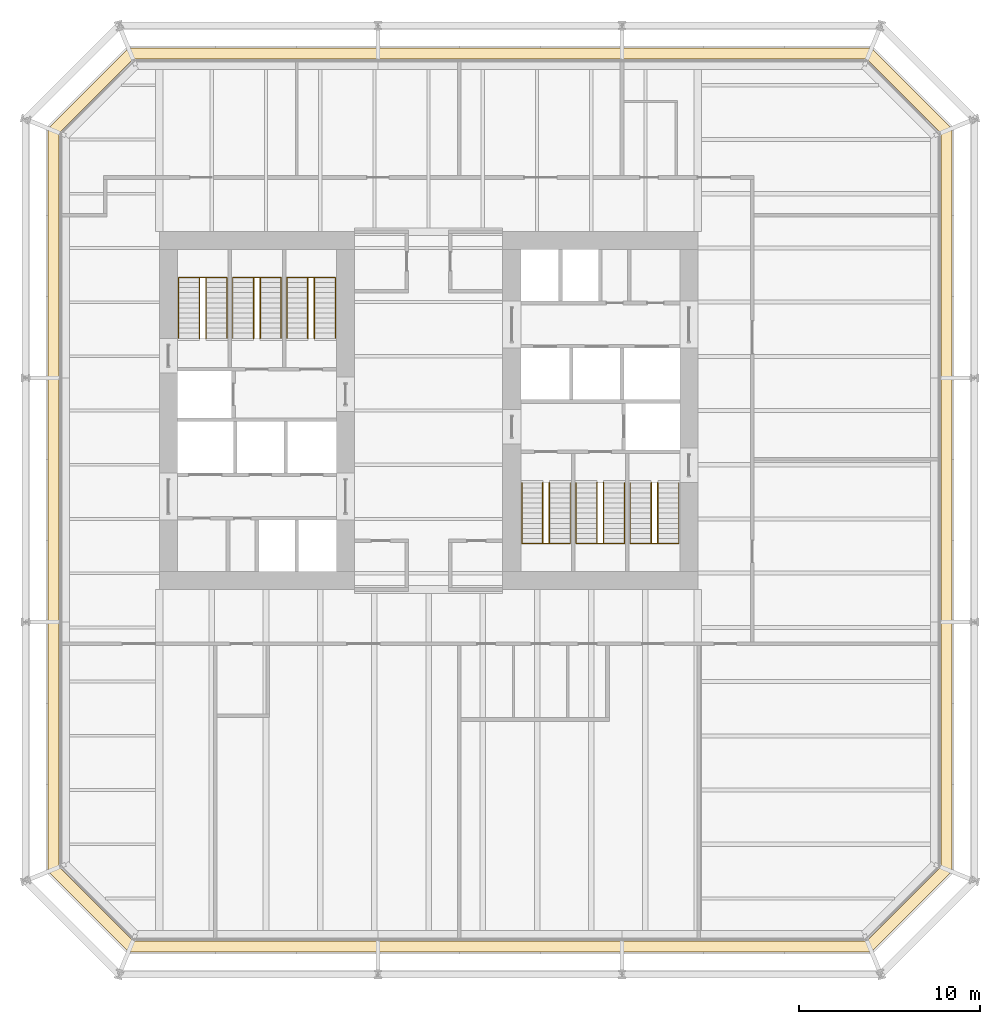
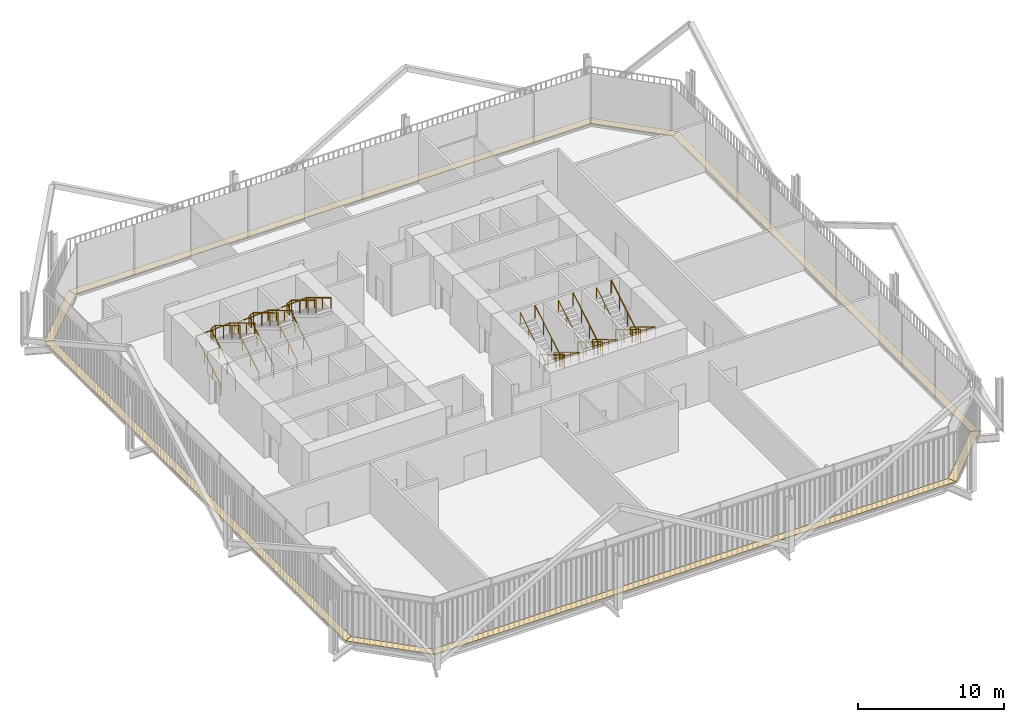
# One storey, part 21 of 21: 12 railings, 8 coverings.
"""IFC4 building model written with IfcOpenShell, lengths in metres."""

from ifc_helpers import new_model, si_unit, direction, frame, origin, origin_2d, place, context, subcontext, project, spatial, polyline, circle, outline, extrude, material, layer, layer_set, type_object, element, save


model = new_model("IFC4")

# Units and contexts
model_context = context("Model", 3, precision=1e-05, world=origin(), true_north=direction((0.0, 1.0)))
body_context = subcontext(model_context, "Body", "Model", "MODEL_VIEW")
ifc_project = project(units=[si_unit("LENGTHUNIT", "METRE"), si_unit("AREAUNIT", "SQUARE_METRE"), si_unit("VOLUMEUNIT", "CUBIC_METRE"), si_unit("PLANEANGLEUNIT", "RADIAN"), si_unit("MASSUNIT", "GRAM", prefix="KILO")], contexts=[model_context])

# Site, building, storey
site_placement = place(None, origin())
site = spatial("IfcSite", under=ifc_project, at=site_placement, CompositionType="ELEMENT")
building_placement = place(site_placement, origin())
building = spatial("IfcBuilding", under=site, at=building_placement, Name="Millrace Tower", CompositionType="ELEMENT")
storey_placement = place(building_placement, frame((0.0, 0.0, 82.0)))
storey = spatial("IfcBuildingStorey", under=building, at=storey_placement, Name="L18", CompositionType="ELEMENT", Elevation=82.0)

# Coverings
ifc_material_1 = material(Name="Steel ASTM A36", Category="steel")
ifc_layer = layer(ifc_material_1, 0.050048828125)
ifc_layer_set = layer_set([ifc_layer], Name="Steel ASTM A36")
covering_type = type_object("IfcCoveringType", Name="CAVITY CATWALK steel grating", PredefinedType="FLOORING", material=ifc_layer_set)
placement = place(storey_placement, frame((0.0, 0.0, 0.10009765625)))
element("IfcCovering", 1, at=placement, inside=storey, type_object=covering_type, Name="Cavity catwalk grating B-F01 L18 1", PredefinedType="FLOORING", context=body_context, shape_type="SweptSolid", body=[
    extrude(outline(polyline([(-21.050048828125, -25.5107421875), (-16.610595703125, -29.949951171875), (-16.362060546875, -29.35009765625), (-20.449951171875, -25.26220703125), (-21.050048828125, -25.5107421875)])), origin(), (0.0, 0.0, 1.0), 0.0498046875),
])
element("IfcCovering", 2, at=placement, inside=storey, type_object=covering_type, Name="Cavity catwalk grating B-F02 L18 1", PredefinedType="FLOORING", context=body_context, shape_type="SweptSolid", body=[
    extrude(outline(polyline([(-16.610595703125, -29.949951171875), (24.5107421875, -29.949951171875), (24.26220703125, -29.35009765625), (-16.362060546875, -29.35009765625), (-16.610595703125, -29.949951171875)])), origin(), (0.0, 0.0, 1.0), 0.0498046875),
])
element("IfcCovering", 3, at=placement, inside=storey, type_object=covering_type, Name="Cavity catwalk grating B-F03 L18 1", PredefinedType="FLOORING", context=body_context, shape_type="SweptSolid", body=[
    extrude(outline(polyline([(24.5107421875, -29.949951171875), (28.949951171875, -25.5107421875), (28.35009765625, -25.26220703125), (24.26220703125, -29.35009765625), (24.5107421875, -29.949951171875)])), origin(), (0.0, 0.0, 1.0), 0.0498046875),
])
element("IfcCovering", 4, at=placement, inside=storey, type_object=covering_type, Name="Cavity catwalk grating B-F04 L18 1", PredefinedType="FLOORING", context=body_context, shape_type="SweptSolid", body=[
    extrude(outline(polyline([(28.949951171875, -25.5107421875), (28.949951171875, 15.610595703125), (28.35009765625, 15.362060546875), (28.35009765625, -25.26220703125), (28.949951171875, -25.5107421875)])), origin(), (0.0, 0.0, 1.0), 0.0498046875),
])
element("IfcCovering", 5, at=placement, inside=storey, type_object=covering_type, Name="Cavity catwalk grating B-F05 L18 1", PredefinedType="FLOORING", context=body_context, shape_type="SweptSolid", body=[
    extrude(outline(polyline([(28.949951171875, 15.610595703125), (24.5107421875, 20.050048828125), (24.26220703125, 19.449951171875), (28.35009765625, 15.362060546875), (28.949951171875, 15.610595703125)])), origin(), (0.0, 0.0, 1.0), 0.0498046875),
])
element("IfcCovering", 6, at=placement, inside=storey, type_object=covering_type, Name="Cavity catwalk grating B-F06 L18 1", PredefinedType="FLOORING", context=body_context, shape_type="SweptSolid", body=[
    extrude(outline(polyline([(24.5107421875, 20.050048828125), (-16.610595703125, 20.050048828125), (-16.362060546875, 19.449951171875), (24.26220703125, 19.449951171875), (24.5107421875, 20.050048828125)])), origin(), (0.0, 0.0, 1.0), 0.0498046875),
])
element("IfcCovering", 7, at=placement, inside=storey, type_object=covering_type, Name="Cavity catwalk grating B-F07 L18 1", PredefinedType="FLOORING", context=body_context, shape_type="SweptSolid", body=[
    extrude(outline(polyline([(-16.610595703125, 20.050048828125), (-21.050048828125, 15.610595703125), (-20.449951171875, 15.362060546875), (-16.362060546875, 19.449951171875), (-16.610595703125, 20.050048828125)])), origin(), (0.0, 0.0, 1.0), 0.0498046875),
])
element("IfcCovering", 8, at=placement, inside=storey, type_object=covering_type, Name="Cavity catwalk grating B-F08 L18 1", PredefinedType="FLOORING", context=body_context, shape_type="SweptSolid", body=[
    extrude(outline(polyline([(-21.050048828125, 15.610595703125), (-21.050048828125, -25.5107421875), (-20.449951171875, -25.26220703125), (-20.449951171875, 15.362060546875), (-21.050048828125, 15.610595703125)])), origin(), (0.0, 0.0, 1.0), 0.0498046875),
])

# Railings
ifc_material_2 = material(Name="Stainless steel ASTM A240 type 316", Category="steel")
railing_type_1 = type_object("IfcRailingType", Name="Stair guard 1100", PredefinedType="GUARDRAIL", material=ifc_material_2)
for number, where, name in (
    (9, (-12.679931640625, 4.0, 0.169189453125), "Stair guard 1 W L18"),
    (10, (-9.679931640625, 4.0, 0.169189453125), "Stair guard 2 W L18"),
    (11, (-6.679931640625, 4.0, 0.169189453125), "Stair guard 3 W L18"),
):
    element("IfcRailing", number, at=place(storey_placement, frame(where)), inside=storey, type_object=railing_type_1, Name=name, PredefinedType="GUARDRAIL", context=body_context, shape_type="SweptSolid", body=[
        extrude(circle(Radius=0.02392578125, at=origin_2d()), frame((0.0, 0.0, 1.076171875), z_axis=(0.0, 0.855836976705, 0.517245656632), x_axis=(-1.0, 0.0, 0.0)), (0.0, 0.0, 1.0), 3.926025390625),
        extrude(circle(Radius=0.02392578125, at=origin_2d()), frame((0.0, 3.360107421875, 3.10693359375), z_axis=(0.904971698027, 0.0, 0.425471768475), x_axis=(0.0, 1.0, 0.0)), (0.0, 0.0, 1.0), 0.397705078125),
        extrude(circle(Radius=0.02392578125, at=origin_2d()), frame((0.35986328125, 3.360107421875, 3.27587890625), z_axis=(0.0, -0.855836976705, 0.517245656632), x_axis=(1.0, 0.0, 0.0)), (0.0, 0.0, 1.0), 3.926025390625),
        extrude(circle(Radius=0.02099609375, at=origin_2d()), origin(), (0.0, 0.0, 1.0), 1.052001953125),
        extrude(circle(Radius=0.02099609375, at=origin_2d()), frame((0.0, 1.1201171875, 0.677001953125)), (0.0, 0.0, 1.0), 1.052001953125),
        extrude(circle(Radius=0.02099609375, at=origin_2d()), frame((0.0, 2.239990234375, 1.353759765625)), (0.0, 0.0, 1.0), 1.052001953125),
        extrude(circle(Radius=0.02099609375, at=origin_2d()), frame((0.0, 3.360107421875, 2.03076171875)), (0.0, 0.0, 1.0), 1.052001953125),
        extrude(circle(Radius=0.02099609375, at=origin_2d()), frame((0.35986328125, 3.360107421875, 2.199951171875)), (0.0, 0.0, 1.0), 1.052001953125),
        extrude(circle(Radius=0.02099609375, at=origin_2d()), frame((0.35986328125, 2.239990234375, 2.876953125)), (0.0, 0.0, 1.0), 1.052001953125),
        extrude(circle(Radius=0.02099609375, at=origin_2d()), frame((0.35986328125, 1.1201171875, 3.5537109375)), (0.0, 0.0, 1.0), 1.052001953125),
        extrude(circle(Radius=0.02099609375, at=origin_2d()), frame((0.35986328125, 0.0, 4.230712890625)), (0.0, 0.0, 1.0), 1.052001953125),
    ])
for number, where, name in (
    (12, (12.679931640625, -4.0, 0.169189453125), "Stair guard 1 E L18"),
    (13, (9.679931640625, -4.0, 0.169189453125), "Stair guard 2 E L18"),
    (14, (6.679931640625, -4.0, 0.169189453125), "Stair guard 3 E L18"),
):
    element("IfcRailing", number, at=place(storey_placement, frame(where)), inside=storey, type_object=railing_type_1, Name=name, PredefinedType="GUARDRAIL", context=body_context, shape_type="SweptSolid", body=[
        extrude(circle(Radius=0.02392578125, at=origin_2d()), frame((0.0, 0.0, 1.076171875), z_axis=(0.0, -0.855836976705, 0.517245656632), x_axis=(1.0, 0.0, 0.0)), (0.0, 0.0, 1.0), 3.926025390625),
        extrude(circle(Radius=0.02392578125, at=origin_2d()), frame((0.0, -3.360107421875, 3.10693359375), z_axis=(-0.904971698027, 0.0, 0.425471768475), x_axis=(0.0, -1.0, 0.0)), (0.0, 0.0, 1.0), 0.397705078125),
        extrude(circle(Radius=0.02392578125, at=origin_2d()), frame((-0.35986328125, -3.360107421875, 3.27587890625), z_axis=(0.0, 0.855836976705, 0.517245656632), x_axis=(-1.0, 0.0, 0.0)), (0.0, 0.0, 1.0), 3.926025390625),
        extrude(circle(Radius=0.02099609375, at=origin_2d()), origin(), (0.0, 0.0, 1.0), 1.052001953125),
        extrude(circle(Radius=0.02099609375, at=origin_2d()), frame((0.0, -1.1201171875, 0.677001953125)), (0.0, 0.0, 1.0), 1.052001953125),
        extrude(circle(Radius=0.02099609375, at=origin_2d()), frame((0.0, -2.239990234375, 1.353759765625)), (0.0, 0.0, 1.0), 1.052001953125),
        extrude(circle(Radius=0.02099609375, at=origin_2d()), frame((0.0, -3.360107421875, 2.03076171875)), (0.0, 0.0, 1.0), 1.052001953125),
        extrude(circle(Radius=0.02099609375, at=origin_2d()), frame((-0.35986328125, -3.360107421875, 2.199951171875)), (0.0, 0.0, 1.0), 1.052001953125),
        extrude(circle(Radius=0.02099609375, at=origin_2d()), frame((-0.35986328125, -2.239990234375, 2.876953125)), (0.0, 0.0, 1.0), 1.052001953125),
        extrude(circle(Radius=0.02099609375, at=origin_2d()), frame((-0.35986328125, -1.1201171875, 3.5537109375)), (0.0, 0.0, 1.0), 1.052001953125),
        extrude(circle(Radius=0.02099609375, at=origin_2d()), frame((-0.35986328125, 0.0, 4.230712890625)), (0.0, 0.0, 1.0), 1.052001953125),
    ])
ifc_material_3 = material(Name="Stainless steel ASTM A240 type 316", Category="steel")
railing_type_2 = type_object("IfcRailingType", Name="Stair handrail 900", PredefinedType="HANDRAIL", material=ifc_material_3)
railing_1_placement = place(storey_placement, frame((-13.840087890625, 4.0, 0.169189453125)))
element("IfcRailing", 15, at=railing_1_placement, inside=storey, type_object=railing_type_2, Name="Stair handrail 1 W L18", PredefinedType="HANDRAIL", context=body_context, shape_type="SweptSolid", body=[
    extrude(circle(Radius=0.02392578125, at=origin_2d()), frame((0.0, 0.0, 0.8759765625), z_axis=(0.0, 0.855836976705, 0.517245656632), x_axis=(-1.0, 0.0, 0.0)), (0.0, 0.0, 1.0), 3.926025390625),
    extrude(circle(Radius=0.02392578125, at=origin_2d()), frame((0.0, 3.360107421875, 2.90673828125), z_axis=(0.998013473273, 0.0, 0.063000850517), x_axis=(0.0, 1.0, 0.0)), (0.0, 0.0, 1.0), 2.685546875),
    extrude(circle(Radius=0.02392578125, at=origin_2d()), frame((2.68017578125, 3.360107421875, 3.07568359375), z_axis=(0.0, -0.855836976705, 0.517245656632), x_axis=(1.0, 0.0, 0.0)), (0.0, 0.0, 1.0), 3.926025390625),
    extrude(circle(Radius=0.02099609375, at=origin_2d()), origin(), (0.0, 0.0, 1.0), 0.851806640625),
    extrude(circle(Radius=0.02099609375, at=origin_2d()), frame((0.0, 1.1201171875, 0.677001953125)), (0.0, 0.0, 1.0), 0.851806640625),
    extrude(circle(Radius=0.02099609375, at=origin_2d()), frame((0.0, 2.239990234375, 1.353759765625)), (0.0, 0.0, 1.0), 0.851806640625),
    extrude(circle(Radius=0.02099609375, at=origin_2d()), frame((0.0, 3.360107421875, 2.03076171875)), (0.0, 0.0, 1.0), 0.851806640625),
    extrude(circle(Radius=0.02099609375, at=origin_2d()), frame((1.340087890625, 3.360107421875, 2.115234375)), (0.0, 0.0, 1.0), 0.851806640625),
    extrude(circle(Radius=0.02099609375, at=origin_2d()), frame((2.68017578125, 3.360107421875, 2.199951171875)), (0.0, 0.0, 1.0), 0.851806640625),
    extrude(circle(Radius=0.02099609375, at=origin_2d()), frame((2.68017578125, 2.239990234375, 2.876953125)), (0.0, 0.0, 1.0), 0.851806640625),
    extrude(circle(Radius=0.02099609375, at=origin_2d()), frame((2.68017578125, 1.1201171875, 3.5537109375)), (0.0, 0.0, 1.0), 0.851806640625),
    extrude(circle(Radius=0.02099609375, at=origin_2d()), frame((2.68017578125, 0.0, 4.230712890625)), (0.0, 0.0, 1.0), 0.851806640625),
])
railing_2_placement = place(storey_placement, frame((-10.840087890625, 4.0, 0.169189453125)))
element("IfcRailing", 16, at=railing_2_placement, inside=storey, type_object=railing_type_2, Name="Stair handrail 2 W L18", PredefinedType="HANDRAIL", context=body_context, shape_type="SweptSolid", body=[
    extrude(circle(Radius=0.02392578125, at=origin_2d()), frame((0.0, 0.0, 0.8759765625), z_axis=(0.0, 0.855836976705, 0.517245656632), x_axis=(-1.0, 0.0, 0.0)), (0.0, 0.0, 1.0), 3.926025390625),
    extrude(circle(Radius=0.02392578125, at=origin_2d()), frame((0.0, 3.360107421875, 2.90673828125), z_axis=(0.998013473273, 0.0, 0.063000850517), x_axis=(0.0, 1.0, 0.0)), (0.0, 0.0, 1.0), 2.685546875),
    extrude(circle(Radius=0.02392578125, at=origin_2d()), frame((2.68017578125, 3.360107421875, 3.07568359375), z_axis=(0.0, -0.855836976705, 0.517245656632), x_axis=(1.0, 0.0, 0.0)), (0.0, 0.0, 1.0), 3.926025390625),
    extrude(circle(Radius=0.02099609375, at=origin_2d()), origin(), (0.0, 0.0, 1.0), 0.851806640625),
    extrude(circle(Radius=0.02099609375, at=origin_2d()), frame((0.0, 1.1201171875, 0.677001953125)), (0.0, 0.0, 1.0), 0.851806640625),
    extrude(circle(Radius=0.02099609375, at=origin_2d()), frame((0.0, 2.239990234375, 1.353759765625)), (0.0, 0.0, 1.0), 0.851806640625),
    extrude(circle(Radius=0.02099609375, at=origin_2d()), frame((0.0, 3.360107421875, 2.03076171875)), (0.0, 0.0, 1.0), 0.851806640625),
    extrude(circle(Radius=0.02099609375, at=origin_2d()), frame((1.340087890625, 3.360107421875, 2.115234375)), (0.0, 0.0, 1.0), 0.851806640625),
    extrude(circle(Radius=0.02099609375, at=origin_2d()), frame((2.68017578125, 3.360107421875, 2.199951171875)), (0.0, 0.0, 1.0), 0.851806640625),
    extrude(circle(Radius=0.02099609375, at=origin_2d()), frame((2.68017578125, 2.239990234375, 2.876953125)), (0.0, 0.0, 1.0), 0.851806640625),
    extrude(circle(Radius=0.02099609375, at=origin_2d()), frame((2.68017578125, 1.1201171875, 3.5537109375)), (0.0, 0.0, 1.0), 0.851806640625),
    extrude(circle(Radius=0.02099609375, at=origin_2d()), frame((2.68017578125, 0.0, 4.230712890625)), (0.0, 0.0, 1.0), 0.851806640625),
])
railing_3_placement = place(storey_placement, frame((-7.840087890625, 4.0, 0.169189453125)))
element("IfcRailing", 17, at=railing_3_placement, inside=storey, type_object=railing_type_2, Name="Stair handrail 3 W L18", PredefinedType="HANDRAIL", context=body_context, shape_type="SweptSolid", body=[
    extrude(circle(Radius=0.02392578125, at=origin_2d()), frame((0.0, 0.0, 0.8759765625), z_axis=(0.0, 0.855836976705, 0.517245656632), x_axis=(-1.0, 0.0, 0.0)), (0.0, 0.0, 1.0), 3.926025390625),
    extrude(circle(Radius=0.02392578125, at=origin_2d()), frame((0.0, 3.360107421875, 2.90673828125), z_axis=(0.998013473273, 0.0, 0.063000850517), x_axis=(0.0, 1.0, 0.0)), (0.0, 0.0, 1.0), 2.685546875),
    extrude(circle(Radius=0.02392578125, at=origin_2d()), frame((2.68017578125, 3.360107421875, 3.07568359375), z_axis=(0.0, -0.855836976705, 0.517245656632), x_axis=(1.0, 0.0, 0.0)), (0.0, 0.0, 1.0), 3.926025390625),
    extrude(circle(Radius=0.02099609375, at=origin_2d()), origin(), (0.0, 0.0, 1.0), 0.851806640625),
    extrude(circle(Radius=0.02099609375, at=origin_2d()), frame((0.0, 1.1201171875, 0.677001953125)), (0.0, 0.0, 1.0), 0.851806640625),
    extrude(circle(Radius=0.02099609375, at=origin_2d()), frame((0.0, 2.239990234375, 1.353759765625)), (0.0, 0.0, 1.0), 0.851806640625),
    extrude(circle(Radius=0.02099609375, at=origin_2d()), frame((0.0, 3.360107421875, 2.03076171875)), (0.0, 0.0, 1.0), 0.851806640625),
    extrude(circle(Radius=0.02099609375, at=origin_2d()), frame((1.340087890625, 3.360107421875, 2.115234375)), (0.0, 0.0, 1.0), 0.851806640625),
    extrude(circle(Radius=0.02099609375, at=origin_2d()), frame((2.68017578125, 3.360107421875, 2.199951171875)), (0.0, 0.0, 1.0), 0.851806640625),
    extrude(circle(Radius=0.02099609375, at=origin_2d()), frame((2.68017578125, 2.239990234375, 2.876953125)), (0.0, 0.0, 1.0), 0.851806640625),
    extrude(circle(Radius=0.02099609375, at=origin_2d()), frame((2.68017578125, 1.1201171875, 3.5537109375)), (0.0, 0.0, 1.0), 0.851806640625),
    extrude(circle(Radius=0.02099609375, at=origin_2d()), frame((2.68017578125, 0.0, 4.230712890625)), (0.0, 0.0, 1.0), 0.851806640625),
])
railing_4_placement = place(storey_placement, frame((13.840087890625, -4.0, 0.169189453125)))
element("IfcRailing", 18, at=railing_4_placement, inside=storey, type_object=railing_type_2, Name="Stair handrail 1 E L18", PredefinedType="HANDRAIL", context=body_context, shape_type="SweptSolid", body=[
    extrude(circle(Radius=0.02392578125, at=origin_2d()), frame((0.0, 0.0, 0.8759765625), z_axis=(0.0, -0.855836976705, 0.517245656632), x_axis=(1.0, 0.0, 0.0)), (0.0, 0.0, 1.0), 3.926025390625),
    extrude(circle(Radius=0.02392578125, at=origin_2d()), frame((0.0, -3.360107421875, 2.90673828125), z_axis=(-0.998013473273, 0.0, 0.063000850517), x_axis=(0.0, -1.0, 0.0)), (0.0, 0.0, 1.0), 2.685546875),
    extrude(circle(Radius=0.02392578125, at=origin_2d()), frame((-2.68017578125, -3.360107421875, 3.07568359375), z_axis=(0.0, 0.855836976705, 0.517245656632), x_axis=(-1.0, 0.0, 0.0)), (0.0, 0.0, 1.0), 3.926025390625),
    extrude(circle(Radius=0.02099609375, at=origin_2d()), origin(), (0.0, 0.0, 1.0), 0.851806640625),
    extrude(circle(Radius=0.02099609375, at=origin_2d()), frame((0.0, -1.1201171875, 0.677001953125)), (0.0, 0.0, 1.0), 0.851806640625),
    extrude(circle(Radius=0.02099609375, at=origin_2d()), frame((0.0, -2.239990234375, 1.353759765625)), (0.0, 0.0, 1.0), 0.851806640625),
    extrude(circle(Radius=0.02099609375, at=origin_2d()), frame((0.0, -3.360107421875, 2.03076171875)), (0.0, 0.0, 1.0), 0.851806640625),
    extrude(circle(Radius=0.02099609375, at=origin_2d()), frame((-1.340087890625, -3.360107421875, 2.115234375)), (0.0, 0.0, 1.0), 0.851806640625),
    extrude(circle(Radius=0.02099609375, at=origin_2d()), frame((-2.68017578125, -3.360107421875, 2.199951171875)), (0.0, 0.0, 1.0), 0.851806640625),
    extrude(circle(Radius=0.02099609375, at=origin_2d()), frame((-2.68017578125, -2.239990234375, 2.876953125)), (0.0, 0.0, 1.0), 0.851806640625),
    extrude(circle(Radius=0.02099609375, at=origin_2d()), frame((-2.68017578125, -1.1201171875, 3.5537109375)), (0.0, 0.0, 1.0), 0.851806640625),
    extrude(circle(Radius=0.02099609375, at=origin_2d()), frame((-2.68017578125, 0.0, 4.230712890625)), (0.0, 0.0, 1.0), 0.851806640625),
])
railing_5_placement = place(storey_placement, frame((10.840087890625, -4.0, 0.169189453125)))
element("IfcRailing", 19, at=railing_5_placement, inside=storey, type_object=railing_type_2, Name="Stair handrail 2 E L18", PredefinedType="HANDRAIL", context=body_context, shape_type="SweptSolid", body=[
    extrude(circle(Radius=0.02392578125, at=origin_2d()), frame((0.0, 0.0, 0.8759765625), z_axis=(0.0, -0.855836976705, 0.517245656632), x_axis=(1.0, 0.0, 0.0)), (0.0, 0.0, 1.0), 3.926025390625),
    extrude(circle(Radius=0.02392578125, at=origin_2d()), frame((0.0, -3.360107421875, 2.90673828125), z_axis=(-0.998013473273, 0.0, 0.063000850517), x_axis=(0.0, -1.0, 0.0)), (0.0, 0.0, 1.0), 2.685546875),
    extrude(circle(Radius=0.02392578125, at=origin_2d()), frame((-2.68017578125, -3.360107421875, 3.07568359375), z_axis=(0.0, 0.855836976705, 0.517245656632), x_axis=(-1.0, 0.0, 0.0)), (0.0, 0.0, 1.0), 3.926025390625),
    extrude(circle(Radius=0.02099609375, at=origin_2d()), origin(), (0.0, 0.0, 1.0), 0.851806640625),
    extrude(circle(Radius=0.02099609375, at=origin_2d()), frame((0.0, -1.1201171875, 0.677001953125)), (0.0, 0.0, 1.0), 0.851806640625),
    extrude(circle(Radius=0.02099609375, at=origin_2d()), frame((0.0, -2.239990234375, 1.353759765625)), (0.0, 0.0, 1.0), 0.851806640625),
    extrude(circle(Radius=0.02099609375, at=origin_2d()), frame((0.0, -3.360107421875, 2.03076171875)), (0.0, 0.0, 1.0), 0.851806640625),
    extrude(circle(Radius=0.02099609375, at=origin_2d()), frame((-1.340087890625, -3.360107421875, 2.115234375)), (0.0, 0.0, 1.0), 0.851806640625),
    extrude(circle(Radius=0.02099609375, at=origin_2d()), frame((-2.68017578125, -3.360107421875, 2.199951171875)), (0.0, 0.0, 1.0), 0.851806640625),
    extrude(circle(Radius=0.02099609375, at=origin_2d()), frame((-2.68017578125, -2.239990234375, 2.876953125)), (0.0, 0.0, 1.0), 0.851806640625),
    extrude(circle(Radius=0.02099609375, at=origin_2d()), frame((-2.68017578125, -1.1201171875, 3.5537109375)), (0.0, 0.0, 1.0), 0.851806640625),
    extrude(circle(Radius=0.02099609375, at=origin_2d()), frame((-2.68017578125, 0.0, 4.230712890625)), (0.0, 0.0, 1.0), 0.851806640625),
])
railing_6_placement = place(storey_placement, frame((7.840087890625, -4.0, 0.169189453125)))
element("IfcRailing", 20, at=railing_6_placement, inside=storey, type_object=railing_type_2, Name="Stair handrail 3 E L18", PredefinedType="HANDRAIL", context=body_context, shape_type="SweptSolid", body=[
    extrude(circle(Radius=0.02392578125, at=origin_2d()), frame((0.0, 0.0, 0.8759765625), z_axis=(0.0, -0.855836976705, 0.517245656632), x_axis=(1.0, 0.0, 0.0)), (0.0, 0.0, 1.0), 3.926025390625),
    extrude(circle(Radius=0.02392578125, at=origin_2d()), frame((0.0, -3.360107421875, 2.90673828125), z_axis=(-0.998013473273, 0.0, 0.063000850517), x_axis=(0.0, -1.0, 0.0)), (0.0, 0.0, 1.0), 2.685546875),
    extrude(circle(Radius=0.02392578125, at=origin_2d()), frame((-2.68017578125, -3.360107421875, 3.07568359375), z_axis=(0.0, 0.855836976705, 0.517245656632), x_axis=(-1.0, 0.0, 0.0)), (0.0, 0.0, 1.0), 3.926025390625),
    extrude(circle(Radius=0.02099609375, at=origin_2d()), origin(), (0.0, 0.0, 1.0), 0.851806640625),
    extrude(circle(Radius=0.02099609375, at=origin_2d()), frame((0.0, -1.1201171875, 0.677001953125)), (0.0, 0.0, 1.0), 0.851806640625),
    extrude(circle(Radius=0.02099609375, at=origin_2d()), frame((0.0, -2.239990234375, 1.353759765625)), (0.0, 0.0, 1.0), 0.851806640625),
    extrude(circle(Radius=0.02099609375, at=origin_2d()), frame((0.0, -3.360107421875, 2.03076171875)), (0.0, 0.0, 1.0), 0.851806640625),
    extrude(circle(Radius=0.02099609375, at=origin_2d()), frame((-1.340087890625, -3.360107421875, 2.115234375)), (0.0, 0.0, 1.0), 0.851806640625),
    extrude(circle(Radius=0.02099609375, at=origin_2d()), frame((-2.68017578125, -3.360107421875, 2.199951171875)), (0.0, 0.0, 1.0), 0.851806640625),
    extrude(circle(Radius=0.02099609375, at=origin_2d()), frame((-2.68017578125, -2.239990234375, 2.876953125)), (0.0, 0.0, 1.0), 0.851806640625),
    extrude(circle(Radius=0.02099609375, at=origin_2d()), frame((-2.68017578125, -1.1201171875, 3.5537109375)), (0.0, 0.0, 1.0), 0.851806640625),
    extrude(circle(Radius=0.02099609375, at=origin_2d()), frame((-2.68017578125, 0.0, 4.230712890625)), (0.0, 0.0, 1.0), 0.851806640625),
])

save(model, "model.ifc")
